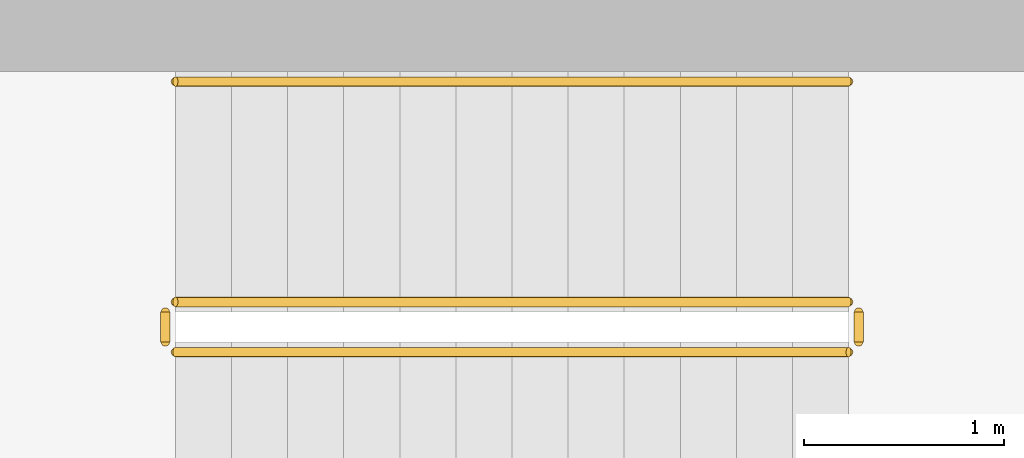
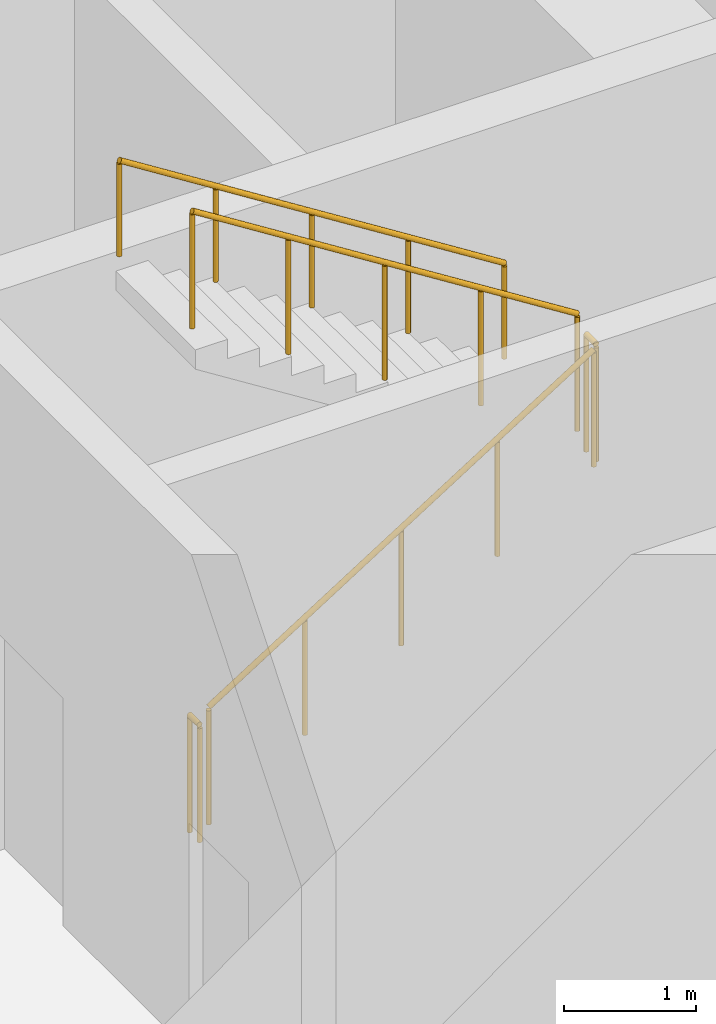
# One storey, part 14 of 17: 5 railings.
"""IFC4 building model written with IfcOpenShell, lengths in metres."""

from ifc_helpers import new_model, si_unit, direction, frame, origin, origin_2d, place, context, subcontext, project, spatial, circle, extrude, material, type_object, element, save


model = new_model("IFC4")

# Units and contexts
model_context = context("Model", 3, precision=1e-05, world=origin(), true_north=direction((0.0, 1.0)))
body_context = subcontext(model_context, "Body", "Model", "MODEL_VIEW")
ifc_project = project(units=[si_unit("LENGTHUNIT", "METRE"), si_unit("AREAUNIT", "SQUARE_METRE"), si_unit("VOLUMEUNIT", "CUBIC_METRE"), si_unit("PLANEANGLEUNIT", "RADIAN"), si_unit("MASSUNIT", "GRAM", prefix="KILO")], contexts=[model_context])

# Site, building, storey
site_placement = place(None, origin())
site = spatial("IfcSite", under=ifc_project, at=site_placement, CompositionType="ELEMENT")
building_placement = place(site_placement, origin())
building = spatial("IfcBuilding", under=site, at=building_placement, Name="Ostrand Prow Hotel Tower", CompositionType="ELEMENT")
storey_placement = place(building_placement, frame((0.0, 0.0, 80.300048828125)))
storey = spatial("IfcBuildingStorey", under=building, at=storey_placement, Name="L18", CompositionType="ELEMENT", Elevation=80.300048828125)

# Railings
ifc_material_1 = material(Name="Painted steel", Category="steel")
railing_type_1 = type_object("IfcRailingType", Name="Stair guard 1100", PredefinedType="GUARDRAIL", material=ifc_material_1)
railing_1_placement = place(storey_placement, frame((57.199951171875, -11.75, 0.1767578125)))
element("IfcRailing", 1, at=railing_1_placement, inside=storey, type_object=railing_type_1, Name="L18 ST2C stair guard 1", PredefinedType="GUARDRAIL", context=body_context, shape_type="SweptSolid", body=[
    extrude(circle(Radius=0.02392578125, at=origin_2d()), frame((0.0, 0.0, 1.076171875), z_axis=(0.845361898145, 0.0, 0.534194029511), x_axis=(0.0, 1.0, 0.0)), (0.0, 0.0, 1.0), 3.974853515625),
    extrude(circle(Radius=0.02099609375, at=origin_2d()), origin(), (0.0, 0.0, 1.0), 1.052001953125),
    extrude(circle(Radius=0.02099609375, at=origin_2d()), frame((0.840087890625, 0.0, 0.53076171875)), (0.0, 0.0, 1.0), 1.052001953125),
    extrude(circle(Radius=0.02099609375, at=origin_2d()), frame((1.68017578125, 0.0, 1.0615234375)), (0.0, 0.0, 1.0), 1.052001953125),
    extrude(circle(Radius=0.02099609375, at=origin_2d()), frame((2.52001953125, 0.0, 1.592529296875)), (0.0, 0.0, 1.0), 1.052001953125),
    extrude(circle(Radius=0.02099609375, at=origin_2d()), frame((3.360107421875, 0.0, 2.123291015625)), (0.0, 0.0, 1.0), 1.052001953125),
])
railing_2_placement = place(storey_placement, frame((60.610107421875, -11.699951171875, 2.300048828125)))
element("IfcRailing", 2, at=railing_2_placement, inside=storey, type_object=railing_type_1, Name="L18 ST2C stair guard 2", PredefinedType="GUARDRAIL", context=body_context, shape_type="SweptSolid", body=[
    extrude(circle(Radius=0.02392578125, at=origin_2d()), frame((0.0, 0.0, 1.076171875), z_axis=(0.0, 1.0, 0.0), x_axis=(-1.0, 0.0, 0.0)), (0.0, 0.0, 1.0), 0.14990234375),
    extrude(circle(Radius=0.02099609375, at=origin_2d()), origin(), (0.0, 0.0, 1.0), 1.052001953125),
    extrude(circle(Radius=0.02099609375, at=origin_2d()), frame((0.0, 0.14990234375, 0.0)), (0.0, 0.0, 1.0), 1.052001953125),
])
railing_3_placement = place(storey_placement, frame((60.56005859375, -11.5, 2.476806640625)))
element("IfcRailing", 3, at=railing_3_placement, inside=storey, type_object=railing_type_1, Name="L18 ST2C stair guard 3", PredefinedType="GUARDRAIL", context=body_context, shape_type="SweptSolid", body=[
    extrude(circle(Radius=0.02392578125, at=origin_2d()), frame((0.0, 0.0, 1.076171875), z_axis=(-0.845389635667, 0.0, 0.534150132366), x_axis=(0.0, -1.0, 0.0)), (0.0, 0.0, 1.0), 3.974609375),
    extrude(circle(Radius=0.02099609375, at=origin_2d()), origin(), (0.0, 0.0, 1.0), 1.052001953125),
    extrude(circle(Radius=0.02099609375, at=origin_2d()), frame((-0.840087890625, 0.0, 0.53076171875)), (0.0, 0.0, 1.0), 1.052001953125),
    extrude(circle(Radius=0.02099609375, at=origin_2d()), frame((-1.68017578125, 0.0, 1.0615234375)), (0.0, 0.0, 1.0), 1.052001953125),
    extrude(circle(Radius=0.02099609375, at=origin_2d()), frame((-2.52001953125, 0.0, 1.59228515625)), (0.0, 0.0, 1.0), 1.052001953125),
    extrude(circle(Radius=0.02099609375, at=origin_2d()), frame((-3.360107421875, 0.0, 2.123046875)), (0.0, 0.0, 1.0), 1.052001953125),
])
railing_4_placement = place(storey_placement, frame((57.14990234375, -11.699951171875, 0.0)))
element("IfcRailing", 4, at=railing_4_placement, inside=storey, type_object=railing_type_1, Name="L18 ST2C stair guard 4", PredefinedType="GUARDRAIL", context=body_context, shape_type="SweptSolid", body=[
    extrude(circle(Radius=0.02392578125, at=origin_2d()), frame((0.0, 0.0, 1.076171875), z_axis=(0.0, 1.0, 0.0), x_axis=(-1.0, 0.0, 0.0)), (0.0, 0.0, 1.0), 0.14990234375),
    extrude(circle(Radius=0.02099609375, at=origin_2d()), origin(), (0.0, 0.0, 1.0), 1.052001953125),
    extrude(circle(Radius=0.02099609375, at=origin_2d()), frame((0.0, 0.14990234375, 0.0)), (0.0, 0.0, 1.0), 1.052001953125),
])
ifc_material_2 = material(Name="Stainless steel", Category="steel")
railing_type_2 = type_object("IfcRailingType", Name="Stair handrail 900", PredefinedType="HANDRAIL", material=ifc_material_2)
railing_5_placement = place(storey_placement, frame((60.56005859375, -10.39990234375, 2.476806640625)))
element("IfcRailing", 5, at=railing_5_placement, inside=storey, type_object=railing_type_2, Name="L18 ST2C stair handrail 2", PredefinedType="HANDRAIL", context=body_context, shape_type="SweptSolid", body=[
    extrude(circle(Radius=0.02392578125, at=origin_2d()), frame((0.0, 0.0, 0.8759765625), z_axis=(-0.845389635667, 0.0, 0.534150132366), x_axis=(0.0, -1.0, 0.0)), (0.0, 0.0, 1.0), 3.974609375),
    extrude(circle(Radius=0.02099609375, at=origin_2d()), origin(), (0.0, 0.0, 1.0), 0.851806640625),
    extrude(circle(Radius=0.02099609375, at=origin_2d()), frame((-0.840087890625, 0.0, 0.53076171875)), (0.0, 0.0, 1.0), 0.851806640625),
    extrude(circle(Radius=0.02099609375, at=origin_2d()), frame((-1.68017578125, 0.0, 1.0615234375)), (0.0, 0.0, 1.0), 0.851806640625),
    extrude(circle(Radius=0.02099609375, at=origin_2d()), frame((-2.52001953125, 0.0, 1.59228515625)), (0.0, 0.0, 1.0), 0.851806640625),
    extrude(circle(Radius=0.02099609375, at=origin_2d()), frame((-3.360107421875, 0.0, 2.123046875)), (0.0, 0.0, 1.0), 0.851806640625),
])

save(model, "model.ifc")
